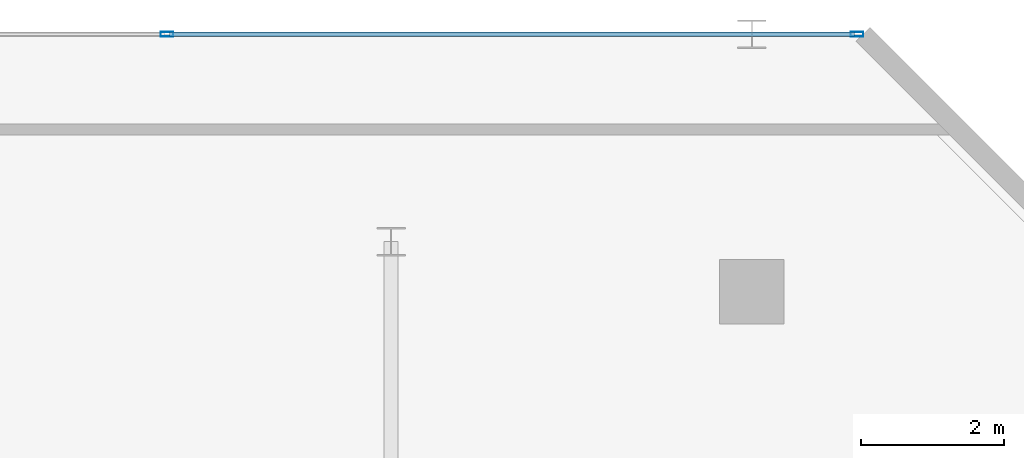
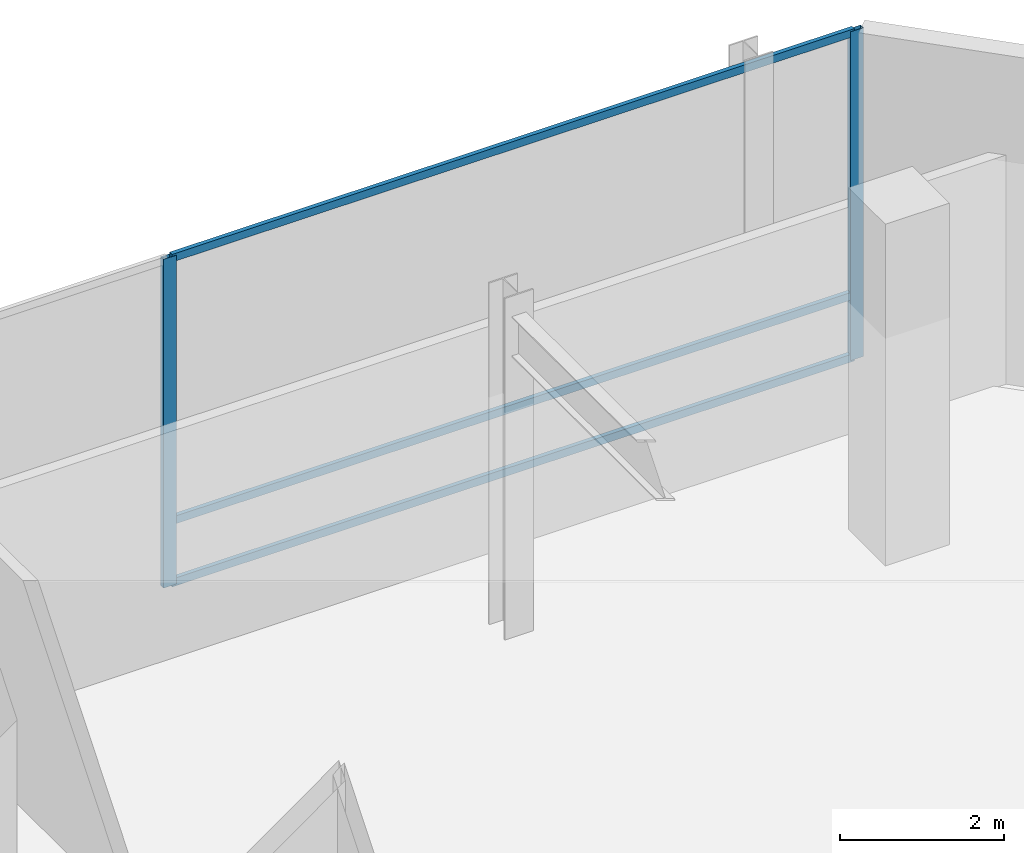
# One storey, part 24 of 40: 5 members, 1 element without a shape of its own.
"""IFC4 building model written with IfcOpenShell, lengths in metres."""

from ifc_helpers import new_model, si_unit, direction, frame, origin, origin_2d, place, context, subcontext, project, spatial, hollow_rectangle, extrude, material, layer, layer_set, material_profile, profile_set, type_object, element, aggregate, save


model = new_model("IFC4")

# Units and contexts
model_context = context("Model", 3, precision=1e-05, world=origin(), true_north=direction((0.0, 1.0)))
body_context = subcontext(model_context, "Body", "Model", "MODEL_VIEW")
ifc_project = project(units=[si_unit("LENGTHUNIT", "METRE"), si_unit("AREAUNIT", "SQUARE_METRE"), si_unit("VOLUMEUNIT", "CUBIC_METRE"), si_unit("PLANEANGLEUNIT", "RADIAN"), si_unit("MASSUNIT", "GRAM", prefix="KILO")], contexts=[model_context])

# Site, building, storey
site_placement = place(None, origin())
site = spatial("IfcSite", under=ifc_project, at=site_placement, CompositionType="ELEMENT")
building_placement = place(site_placement, origin())
building = spatial("IfcBuilding", under=site, at=building_placement, Name="Qianvela Tower", CompositionType="ELEMENT")
storey_placement = place(building_placement, frame((0.0, 0.0, 20.60009765625)))
storey = spatial("IfcBuildingStorey", under=building, at=storey_placement, Name="L04", CompositionType="ELEMENT", Elevation=20.60009765625)

# Curtain wall, members
ifc_material_1 = material(Name="Anodised Architectural Aluminium and Low-E Glass", Category="aluminium")
ifc_layer = layer(ifc_material_1, 0.179931640625)
ifc_layer_set = layer_set([ifc_layer], Name="Anodised Architectural Aluminium and Low-E Glass")
curtain_wall_type = type_object("IfcCurtainWallType", Name="CW-COMMONS", PredefinedType="USERDEFINED", material=ifc_layer_set)
curtain_wall_placement = place(storey_placement, origin())
curtain_wall = element("IfcCurtainWall", 1, at=curtain_wall_placement, inside=storey, type_object=curtain_wall_type, Name="L04 CW-COMMONS Curtain Wall 05", ObjectType="CURTAIN_WALL_SYSTEM", PredefinedType="USERDEFINED")
ifc_material_2 = material(Name="Anodised Architectural Aluminium 6063-T6", Category="aluminium")
ifc_material_profile_1 = material_profile(ifc_material_2, hollow_rectangle(XDim=0.070068359375, YDim=0.179931640625, WallThickness=0.0048828125, at=origin_2d()), Name="ALU-MULL-70x180")
ifc_profile_set_1 = profile_set([ifc_material_profile_1], Name="Anodised Architectural Aluminium 6063-T6")
member_type_1 = type_object("IfcMemberType", Name="CW-COMMONS-MULL", PredefinedType="MULLION", material=ifc_profile_set_1)
member_1_placement = place(storey_placement, frame((66.514892578125, 47.5, 0.0), z_axis=(0.0, 0.0, 1.0), x_axis=(0.0, -1.0, 0.0)))
member_1 = element("IfcMember", 2, at=member_1_placement, type_object=member_type_1, Name="CW-2 mullion 1", PredefinedType="MULLION", context=body_context, shape_type="SweptSolid", body=[
    extrude(hollow_rectangle(XDim=0.070068359375, YDim=0.179931640625, WallThickness=0.0048828125, at=origin_2d()), origin(), (0.0, 0.0, 1.0), 4.8798828125),
])
member_2_placement = place(storey_placement, frame((56.86669921875, 47.5, 0.0), z_axis=(0.0, 0.0, 1.0), x_axis=(0.0, -1.0, 0.0)))
member_2 = element("IfcMember", 3, at=member_2_placement, type_object=member_type_1, Name="CW-2 mullion 2", PredefinedType="MULLION", context=body_context, shape_type="SweptSolid", body=[
    extrude(hollow_rectangle(XDim=0.070068359375, YDim=0.179931640625, WallThickness=0.0048828125, at=origin_2d()), origin(), (0.0, 0.0, 1.0), 4.8798828125),
])
ifc_material_3 = material(Name="Anodised Architectural Aluminium 6063-T6", Category="aluminium")
ifc_material_profile_2 = material_profile(ifc_material_3, hollow_rectangle(XDim=0.06005859375, YDim=0.114990234375, WallThickness=0.00390625, at=origin_2d()), Name="ALU-TRAN-60x115")
ifc_profile_set_2 = profile_set([ifc_material_profile_2], Name="Anodised Architectural Aluminium 6063-T6")
member_type_2 = type_object("IfcMemberType", Name="CW-COMMONS-TRAN", PredefinedType="USERDEFINED", material=ifc_profile_set_2)
member_3_placement = place(storey_placement, frame((66.47998046875, 47.5, 0.02978515625), z_axis=(-1.0, 0.0, 0.0), x_axis=(0.0, -1.0, 0.0)))
member_3 = element("IfcMember", 4, at=member_3_placement, type_object=member_type_2, Name="CW-2 transom 1.1", ObjectType="TRANSOM", PredefinedType="USERDEFINED", context=body_context, shape_type="SweptSolid", body=[
    extrude(hollow_rectangle(XDim=0.06005859375, YDim=0.114990234375, WallThickness=0.00390625, at=origin_2d()), origin(), (0.0, 0.0, 1.0), 9.578369140625),
])
member_4_placement = place(storey_placement, frame((66.47998046875, 47.5, 0.949951171875), z_axis=(-1.0, 0.0, 0.0), x_axis=(0.0, -1.0, 0.0)))
member_4 = element("IfcMember", 5, at=member_4_placement, type_object=member_type_2, Name="CW-2 transom 1.2", ObjectType="TRANSOM", PredefinedType="USERDEFINED", context=body_context, shape_type="SweptSolid", body=[
    extrude(hollow_rectangle(XDim=0.06005859375, YDim=0.114990234375, WallThickness=0.00390625, at=origin_2d()), origin(), (0.0, 0.0, 1.0), 9.578369140625),
])
member_5_placement = place(storey_placement, frame((66.47998046875, 47.5, 4.849853515625), z_axis=(-1.0, 0.0, 0.0), x_axis=(0.0, -1.0, 0.0)))
member_5 = element("IfcMember", 6, at=member_5_placement, type_object=member_type_2, Name="CW-2 transom 1.3", ObjectType="TRANSOM", PredefinedType="USERDEFINED", context=body_context, shape_type="SweptSolid", body=[
    extrude(hollow_rectangle(XDim=0.06005859375, YDim=0.114990234375, WallThickness=0.00390625, at=origin_2d()), origin(), (0.0, 0.0, 1.0), 9.578369140625),
])
aggregate(curtain_wall, [member_1, member_2, member_3, member_4, member_5])

save(model, "model.ifc")
